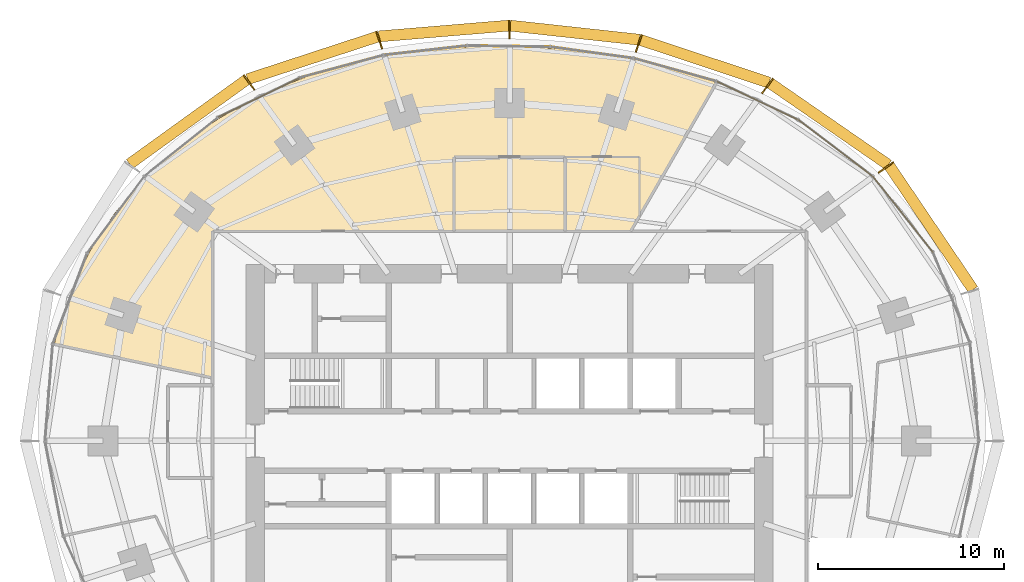
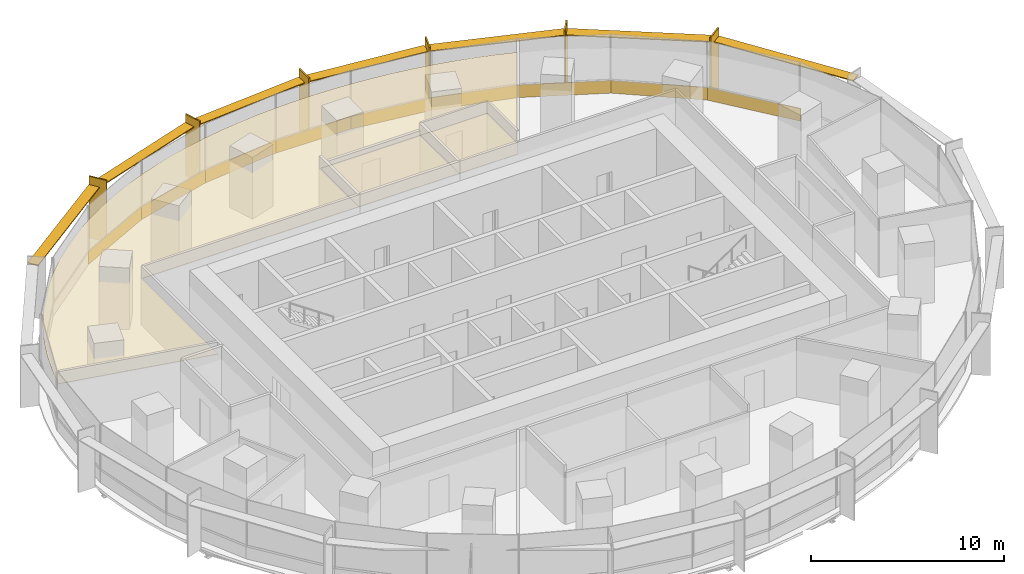
# One storey, part 14 of 14: 13 shading devices, 12 coverings.
"""IFC4 building model written with IfcOpenShell, lengths in metres."""

import ifcopenshell
import ifcopenshell.guid

model = None  # the IFC model being written
_history = None  # IfcOwnerHistory: only IFC2X3 demands one
_inside = {}  # id of a spatial element -> (the spatial element, [elements in it])
_under = {}  # id of a project, library or spatial element -> (it, [spatial elements below it])
_declared = {}  # id of a project -> (the project, [libraries it declares])
_typed = {}  # id of a type object -> (the type object, [elements of that type])
_made_of = {}  # id of a material, layer set ... -> (it, [elements and type objects made of it])


def new_model(schema):
    """Start an empty IFC model of exactly this schema.

    Asked for "IFC4X3", IfcOpenShell would pick the latest addendum, in which some entities
    have other attributes; the version numbers below select the first issue.
    IFC2X3 requires an IfcOwnerHistory on every rooted entity: one is made here for all.
    """
    global model, _history
    if schema == "IFC4X3":
        model = ifcopenshell.file(schema_version=(4, 3, 0, 0))
    else:
        model = ifcopenshell.file(schema=schema)
    _inside.clear()
    _under.clear()
    _declared.clear()
    _typed.clear()
    _made_of.clear()
    _history = None
    if model.schema == "IFC2X3":
        org = make("IfcOrganization", Name="unknown")
        user = make(
            "IfcPersonAndOrganization",
            ThePerson=make("IfcPerson", FamilyName="unknown"),
            TheOrganization=org,
        )
        app = make(
            "IfcApplication",
            ApplicationDeveloper=org,
            Version="unknown",
            ApplicationFullName="unknown",
            ApplicationIdentifier="unknown",
        )
        _history = make(
            "IfcOwnerHistory",
            OwningUser=user,
            OwningApplication=app,
            ChangeAction="ADDED",
            CreationDate=0,
        )
    return model


def make(cls, **values):
    """One entity of the class cls with the attributes given. An attribute that is None is left unset."""
    return model.create_entity(
        cls, **{name: value for name, value in values.items() if value is not None}
    )


def rooted(cls, **values):
    """An entity with a GlobalId (a new one), such as an element, a storey or a relation."""
    return make(cls, GlobalId=ifcopenshell.guid.new(), OwnerHistory=_history, **values)


def si_unit(unit_type, name, prefix=None):
    """IfcSIUnit, for example si_unit("LENGTHUNIT", "METRE", prefix="MILLI")."""
    return make("IfcSIUnit", UnitType=unit_type, Prefix=prefix, Name=name)


def assignment(units):
    """IfcUnitAssignment: the units of a project."""
    return None if units is None else make("IfcUnitAssignment", Units=units)


def point(xyz):
    """IfcCartesianPoint."""
    return None if xyz is None else make("IfcCartesianPoint", Coordinates=xyz)


def direction(xyz):
    """IfcDirection."""
    return None if xyz is None else make("IfcDirection", DirectionRatios=xyz)


def frame(location, z_axis=None, x_axis=None):
    """IfcAxis2Placement3D, a coordinate frame: its origin and axes. An axis left out is left unset."""
    return make(
        "IfcAxis2Placement3D",
        Location=point(location),
        Axis=direction(z_axis),
        RefDirection=direction(x_axis),
    )


def frame_2d(location, x_axis=None):
    """IfcAxis2Placement2D, a coordinate frame in the plane: its origin and x axis."""
    return make(
        "IfcAxis2Placement2D", Location=point(location), RefDirection=direction(x_axis)
    )


def origin():
    """The frame at (0, 0, 0) with its axes left unset."""
    return frame((0.0, 0.0, 0.0))


def origin_2d():
    """The frame at (0, 0) in the plane with its x axis left unset."""
    return frame_2d((0.0, 0.0))


def place(relative_to, where):
    """IfcLocalPlacement: puts the frame where relative to a parent placement (None: the world)."""
    return make(
        "IfcLocalPlacement", PlacementRelTo=relative_to, RelativePlacement=where
    )


def context(
    kind, dimensions, precision=None, world=None, true_north=None, identifier=None
):
    """IfcGeometricRepresentationContext, for example the 3D "Model" context."""
    return make(
        "IfcGeometricRepresentationContext",
        ContextIdentifier=identifier,
        ContextType=kind,
        CoordinateSpaceDimension=dimensions,
        Precision=precision,
        WorldCoordinateSystem=world,
        TrueNorth=true_north,
    )


def subcontext(parent, identifier, kind, view, scale=None):
    """IfcGeometricRepresentationSubContext, for example "Body" below "Model"."""
    return make(
        "IfcGeometricRepresentationSubContext",
        ContextIdentifier=identifier,
        ContextType=kind,
        ParentContext=parent,
        TargetScale=scale,
        TargetView=view,
    )


def project(units=None, contexts=None):
    """IfcProject with its units and contexts."""
    return rooted(
        "IfcProject",
        Name="project",
        RepresentationContexts=contexts,
        UnitsInContext=assignment(units),
    )


def spatial(cls, under=None, at=None, **own):
    """A site, building, storey or space (cls), placed at a placement, below another one or the project."""
    s = rooted(cls, ObjectPlacement=at, **own)
    if under is not None:
        _under.setdefault(under.id(), (under, []))[1].append(s)
    return s


def polyline(points):
    """IfcPolyline through the points."""
    return make("IfcPolyline", Points=[point(p) for p in points])


def profile(cls, at=None, kind="AREA", **sizes):
    """A parametric profile (cls). Its sizes go by their IFC names, for example OverallWidth=200.0."""
    return make(cls, ProfileType=kind, Position=at, **sizes)


def rectangle(**sizes):
    """IfcRectangleProfileDef."""
    return profile("IfcRectangleProfileDef", **sizes)


def outline(outer, holes=None, kind="AREA"):
    """IfcArbitraryClosedProfileDef: a profile drawn as a closed curve; with holes, ...WithVoids."""
    if holes is None:
        return make("IfcArbitraryClosedProfileDef", ProfileType=kind, OuterCurve=outer)
    return make(
        "IfcArbitraryProfileDefWithVoids",
        ProfileType=kind,
        OuterCurve=outer,
        InnerCurves=holes,
    )


def extrude(swept, where, along, depth):
    """IfcExtrudedAreaSolid: the profile swept, set in the frame where, extruded along a direction by depth."""
    return make(
        "IfcExtrudedAreaSolid",
        SweptArea=swept,
        Position=where,
        ExtrudedDirection=direction(along),
        Depth=depth,
    )


def shape(context_of_items, identifier, shape_type, items):
    """IfcShapeRepresentation: the items that make up one representation, for example the "Body"."""
    return make(
        "IfcShapeRepresentation",
        ContextOfItems=context_of_items,
        RepresentationIdentifier=identifier,
        RepresentationType=shape_type,
        Items=items,
    )


def material(Name=None, Category=None):
    """IfcMaterial."""
    return make("IfcMaterial", Name=Name, Category=Category)


def layer(
    of_material, thickness, ventilated=None, Name=None, Category=None, Priority=None
):
    """IfcMaterialLayer: one layer of a wall or slab, of a material (None: an air gap)."""
    return make(
        "IfcMaterialLayer",
        Material=of_material,
        LayerThickness=thickness,
        IsVentilated=ventilated,
        Name=Name,
        Category=Category,
        Priority=Priority,
    )


def layer_set(layers, Name=None):
    """IfcMaterialLayerSet."""
    return make("IfcMaterialLayerSet", MaterialLayers=layers, LayerSetName=Name)


def made_of(thing, what):
    """Note that an element or type object is made of a material, layer set ...; save() writes the relation."""
    if what is not None:
        _made_of.setdefault(what.id(), (what, []))[1].append(thing)
    return thing


def type_object(cls, material=None, **own):
    """A type object (cls), such as IfcWallType, which elements share."""
    return made_of(rooted(cls, **own), material)


def element(
    cls,
    number,
    at=None,
    inside=None,
    cuts=None,
    type_object=None,
    material=None,
    context=None,
    identifier="Body",
    shape_type=None,
    held_by="IfcProductDefinitionShape",
    body=None,
    shapes=None,
    **own,
):
    """One element of the class cls, such as IfcWall. Its Tag is "e" and its number.

    at: its placement. inside: the storey or other place that contains it. cuts: it is an
    opening in that element (IfcRelVoidsElement). A single representation is given by context,
    identifier, shape_type and body (its items); several are given by shapes. held_by: the class
    of the entity that holds the representations. save() writes the other relations.
    """
    e = rooted(cls, Tag="e%d" % number, ObjectPlacement=at, **own)
    if body is not None:
        shapes = [shape(context, identifier, shape_type, body)]
    if shapes is not None:
        e.Representation = make(held_by, Representations=shapes)
    if inside is not None:
        _inside.setdefault(inside.id(), (inside, []))[1].append(e)
    if cuts is not None:
        rooted(
            "IfcRelVoidsElement", RelatingBuildingElement=cuts, RelatedOpeningElement=e
        )
    if type_object is not None:
        _typed.setdefault(type_object.id(), (type_object, []))[1].append(e)
    return made_of(e, material)


def aggregate(whole, parts):
    """IfcRelAggregates: a whole, such as a stair, and the parts it consists of."""
    return rooted("IfcRelAggregates", RelatingObject=whole, RelatedObjects=parts)


def save(model, path):
    """Write the relations noted so far, then the file.

    IfcRelAggregates (storeys below a building ...), IfcRelContainedInSpatialStructure (elements
    in a storey), IfcRelDefinesByType, IfcRelAssociatesMaterial and IfcRelDeclares: one each for
    every whole, place, type object, material and project.
    """
    for whole, parts in _under.values():
        aggregate(whole, parts)
    for where, things in _inside.values():
        rooted(
            "IfcRelContainedInSpatialStructure",
            RelatedElements=things,
            RelatingStructure=where,
        )
    for kind, things in _typed.values():
        rooted("IfcRelDefinesByType", RelatedObjects=things, RelatingType=kind)
    for what, things in _made_of.values():
        rooted("IfcRelAssociatesMaterial", RelatedObjects=things, RelatingMaterial=what)
    for by, libraries in _declared.values():
        rooted("IfcRelDeclares", RelatingContext=by, RelatedDefinitions=libraries)
    model.write(path)


model = new_model("IFC4")

# Units and contexts
model_context = context("Model", 3, precision=1e-05, world=origin(), true_north=direction((0.0, 1.0)))
body_context = subcontext(model_context, "Body", "Model", "MODEL_VIEW")
ifc_project = project(units=[si_unit("LENGTHUNIT", "METRE"), si_unit("AREAUNIT", "SQUARE_METRE"), si_unit("VOLUMEUNIT", "CUBIC_METRE"), si_unit("PLANEANGLEUNIT", "RADIAN"), si_unit("MASSUNIT", "GRAM", prefix="KILO")], contexts=[model_context])

# Site, building, storey
site_placement = place(None, origin())
site = spatial("IfcSite", under=ifc_project, at=site_placement, CompositionType="ELEMENT")
building_placement = place(site_placement, origin())
building = spatial("IfcBuilding", under=site, at=building_placement, Name="Marramba Exchange Tower", CompositionType="ELEMENT")
storey_placement = place(building_placement, frame((0.0, 0.0, 119.699951171875)))
storey = spatial("IfcBuildingStorey", under=building, at=storey_placement, Name="L28", CompositionType="ELEMENT", Elevation=119.699951171875)

# Shading devices
ifc_material_1 = material(Name="Aluminium blade, timber-look bronze finish", Category="wood")
ifc_layer_1 = layer(ifc_material_1, 0.080078125)
ifc_layer_set_1 = layer_set([ifc_layer_1], Name="Floor-edge blade 1000x80")
shading_device_type_1 = type_object("IfcShadingDeviceType", Name="Floor-edge blade 1000x80", PredefinedType="USERDEFINED", material=ifc_layer_set_1)
for number, where, z_axis, x_axis, name in (
    (1, (20.27392578125, 14.72998046875, -0.159912109375), (0.0, 0.0, 1.0), (0.809016994375, 0.587785252292, 0.0), "Floor-edge blade FB1 L28 TC03"),
    (2, (13.8955078125, 19.12548828125, -0.159912109375), (0.0, 0.0, 1.0), (0.587785252292, 0.809016994375, 0.0), "Floor-edge blade FB1 L28 TC04"),
    (3, (6.958984375, 21.41748046875, -0.159912109375), (0.0, 0.0, 1.0), (0.309016994375, 0.951056516295, 0.0), "Floor-edge blade FB1 L28 TC05"),
    (4, (0.0, 22.173095703125, -0.159912109375), (0.0, 0.0, 1.0), (0.0, 1.0, 0.0), "Floor-edge blade FB1 L28 TC06"),
    (5, (-7.016845703125, 21.595703125, -0.159912109375), (0.0, 0.0, 1.0), (-0.309016994375, 0.951056516295, 0.0), "Floor-edge blade FB1 L28 TC07"),
    (6, (-14.029296875, 19.3095703125, -0.159912109375), (0.0, 0.0, 1.0), (-0.587785252292, 0.809016994375, 0.0), "Floor-edge blade FB1 L28 TC08"),
):
    element("IfcShadingDevice", number, at=place(storey_placement, frame(where, z_axis=z_axis, x_axis=x_axis)), inside=storey, type_object=shading_device_type_1, Name=name, ObjectType="FIN", PredefinedType="USERDEFINED", context=body_context, shape_type="SweptSolid", body=[
        extrude(rectangle(XDim=1.0, YDim=0.080078125, at=origin_2d()), origin(), (0.0, 0.0, 1.0), 3.89990234375),
    ])
ifc_material_2 = material(Name="Aluminium sunshade, bronze anodised", Category="aluminium")
ifc_layer_2 = layer(ifc_material_2, 0.06005859375)
ifc_layer_set_2 = layer_set([ifc_layer_2], Name="SUNSHADE blade 600x60")
shading_device_type_2 = type_object("IfcShadingDeviceType", Name="SUNSHADE blade 600x60", PredefinedType="USERDEFINED", material=ifc_layer_set_2)
shading_device_1_placement = place(storey_placement, frame((22.712158203125, 11.4833984375, 3.159912109375), z_axis=(0.0, 0.0, 1.0), x_axis=(-0.560441804861, 0.828193807852, 0.0)))
element("IfcShadingDevice", 7, at=shading_device_1_placement, inside=storey, type_object=shading_device_type_2, Name="Sunshade SS1 L28 bay 02", ObjectType="SUNSHADE", PredefinedType="USERDEFINED", context=body_context, shape_type="SweptSolid", body=[
    extrude(rectangle(XDim=8.0439453125, YDim=0.60009765625, at=origin_2d()), origin(), (0.0, 0.0, 1.0), 0.06005859375),
])
shading_device_2_placement = place(storey_placement, frame((17.224365234375, 17.0673828125, 3.159912109375), z_axis=(0.0, 0.0, 1.0), x_axis=(-0.822589509071, 0.568635647464, 0.0)))
element("IfcShadingDevice", 8, at=shading_device_2_placement, inside=storey, type_object=shading_device_type_2, Name="Sunshade SS1 L28 bay 03", ObjectType="SUNSHADE", PredefinedType="USERDEFINED", context=body_context, shape_type="SweptSolid", body=[
    extrude(rectangle(XDim=7.72802734375, YDim=0.60009765625, at=origin_2d()), origin(), (0.0, 0.0, 1.0), 0.06005859375),
])
shading_device_3_placement = place(storey_placement, frame((10.516845703125, 20.447509765625, 3.159912109375), z_axis=(0.0, 0.0, 1.0), x_axis=(-0.949101076178, 0.314971660944, 0.0)))
element("IfcShadingDevice", 9, at=shading_device_3_placement, inside=storey, type_object=shading_device_type_2, Name="Sunshade SS1 L28 bay 04", ObjectType="SUNSHADE", PredefinedType="USERDEFINED", context=body_context, shape_type="SweptSolid", body=[
    extrude(rectangle(XDim=7.287353515625, YDim=0.60009765625, at=origin_2d()), origin(), (0.0, 0.0, 1.0), 0.06005859375),
])
shading_device_4_placement = place(storey_placement, frame((3.510498046875, 21.990478515625, 3.159912109375), z_axis=(0.0, 0.0, 1.0), x_axis=(-0.994111392801, 0.108362995081, 0.0)))
element("IfcShadingDevice", 10, at=shading_device_4_placement, inside=storey, type_object=shading_device_type_2, Name="Sunshade SS1 L28 bay 05", ObjectType="SUNSHADE", PredefinedType="USERDEFINED", context=body_context, shape_type="SweptSolid", body=[
    extrude(rectangle(XDim=6.982421875, YDim=0.60009765625, at=origin_2d()), origin(), (0.0, 0.0, 1.0), 0.06005859375),
])
shading_device_5_placement = place(storey_placement, frame((-3.539306640625, 22.07958984375, 3.159912109375), z_axis=(0.0, 0.0, 1.0), x_axis=(-0.996577838412, -0.08265961521, 0.0)))
element("IfcShadingDevice", 11, at=shading_device_5_placement, inside=storey, type_object=shading_device_type_2, Name="Sunshade SS1 L28 bay 06", ObjectType="SUNSHADE", PredefinedType="USERDEFINED", context=body_context, shape_type="SweptSolid", body=[
    extrude(rectangle(XDim=7.02294921875, YDim=0.60009765625, at=origin_2d()), origin(), (0.0, 0.0, 1.0), 0.06005859375),
])
shading_device_6_placement = place(storey_placement, frame((-10.61279296875, 20.628662109375, 3.159912109375), z_axis=(0.0, 0.0, 1.0), x_axis=(-0.950345637432, -0.311196351865, 0.0)))
element("IfcShadingDevice", 12, at=shading_device_6_placement, inside=storey, type_object=shading_device_type_2, Name="Sunshade SS1 L28 bay 07", ObjectType="SUNSHADE", PredefinedType="USERDEFINED", context=body_context, shape_type="SweptSolid", body=[
    extrude(rectangle(XDim=7.357421875, YDim=0.60009765625, at=origin_2d()), origin(), (0.0, 0.0, 1.0), 0.06005859375),
])
shading_device_7_placement = place(storey_placement, frame((-17.322509765625, 17.18212890625, 3.159912109375), z_axis=(0.0, 0.0, 1.0), x_axis=(-0.811199164202, -0.584769968448, 0.0)))
element("IfcShadingDevice", 13, at=shading_device_7_placement, inside=storey, type_object=shading_device_type_2, Name="Sunshade SS1 L28 bay 08", ObjectType="SUNSHADE", PredefinedType="USERDEFINED", context=body_context, shape_type="SweptSolid", body=[
    extrude(rectangle(XDim=7.749755859375, YDim=0.60009765625, at=origin_2d()), origin(), (0.0, 0.0, 1.0), 0.06005859375),
])

# Coverings
ifc_material_3 = material(Name="Aluminium spandrel panel, bronze anodised, insulated", Category="aluminium")
ifc_layer_3 = layer(ifc_material_3, 0.050048828125)
ifc_layer_set_3 = layer_set([ifc_layer_3], Name="Spandrel panel 800")
covering_type_1 = type_object("IfcCoveringType", Name="Spandrel panel 800", PredefinedType="CLADDING", material=ifc_layer_set_3)
covering_1_placement = place(storey_placement, frame((21.20068359375, 12.194091796875, 0.0), z_axis=(0.0, 0.0, 1.0), x_axis=(-0.621311998758, 0.783563271344, 0.0)))
element("IfcCovering", 14, at=covering_1_placement, inside=storey, type_object=covering_type_1, Name="Spandrel panel SP1 L28 F03", PredefinedType="CLADDING", context=body_context, shape_type="SweptSolid", body=[
    extrude(rectangle(XDim=5.197021484375, YDim=0.050048828125, at=origin_2d()), origin(), (0.0, 0.0, 1.0), 0.800048828125),
])
covering_2_placement = place(storey_placement, frame((17.576171875, 15.759033203125, 0.0), z_axis=(0.0, 0.0, 1.0), x_axis=(-0.795971745176, 0.605333776426, 0.0)))
element("IfcCovering", 15, at=covering_2_placement, inside=storey, type_object=covering_type_1, Name="Spandrel panel SP1 L28 F04", PredefinedType="CLADDING", context=body_context, shape_type="SweptSolid", body=[
    extrude(rectangle(XDim=5.05078125, YDim=0.050048828125, at=origin_2d()), origin(), (0.0, 0.0, 1.0), 0.800048828125),
])
covering_3_placement = place(storey_placement, frame((13.371337890625, 18.322998046875, 0.0), z_axis=(0.0, 0.0, 1.0), x_axis=(-0.904403135206, 0.426678999987, 0.0)))
element("IfcCovering", 16, at=covering_3_placement, inside=storey, type_object=covering_type_1, Name="Spandrel panel SP1 L28 F05", PredefinedType="CLADDING", context=body_context, shape_type="SweptSolid", body=[
    extrude(rectangle(XDim=4.853271484375, YDim=0.050048828125, at=origin_2d()), origin(), (0.0, 0.0, 1.0), 0.800048828125),
])
covering_4_placement = place(storey_placement, frame((8.9365234375, 19.98388671875, 0.0), z_axis=(0.0, 0.0, 1.0), x_axis=(-0.963177847397, 0.268865085655, 0.0)))
element("IfcCovering", 17, at=covering_4_placement, inside=storey, type_object=covering_type_1, Name="Spandrel panel SP1 L28 F06", PredefinedType="CLADDING", context=body_context, shape_type="SweptSolid", body=[
    extrude(rectangle(XDim=4.651611328125, YDim=0.050048828125, at=origin_2d()), origin(), (0.0, 0.0, 1.0), 0.800048828125),
])
covering_5_placement = place(storey_placement, frame((4.46337890625, 20.915283203125, 0.0), z_axis=(0.0, 0.0, 1.0), x_axis=(-0.990738214019, 0.135785828725, 0.0)))
element("IfcCovering", 18, at=covering_5_placement, inside=storey, type_object=covering_type_1, Name="Spandrel panel SP1 L28 F07", PredefinedType="CLADDING", context=body_context, shape_type="SweptSolid", body=[
    extrude(rectangle(XDim=4.507568359375, YDim=0.050048828125, at=origin_2d()), origin(), (0.0, 0.0, 1.0), 0.800048828125),
])
covering_6_placement = place(storey_placement, frame((-0.003662109375, 21.25634765625, 0.0), z_axis=(0.0, 0.0, 1.0), x_axis=(-0.999875870008, 0.015755779107, 0.0)))
element("IfcCovering", 19, at=covering_6_placement, inside=storey, type_object=covering_type_1, Name="Spandrel panel SP1 L28 F08", PredefinedType="CLADDING", context=body_context, shape_type="SweptSolid", body=[
    extrude(rectangle(XDim=4.46875, YDim=0.050048828125, at=origin_2d()), origin(), (0.0, 0.0, 1.0), 0.800048828125),
])
covering_7_placement = place(storey_placement, frame((-4.49609375, 21.03955078125, 0.0), z_axis=(0.0, 0.0, 1.0), x_axis=(-0.993823395975, -0.110973229261, 0.0)))
element("IfcCovering", 20, at=covering_7_placement, inside=storey, type_object=covering_type_1, Name="Spandrel panel SP1 L28 F09", PredefinedType="CLADDING", context=body_context, shape_type="SweptSolid", body=[
    extrude(rectangle(XDim=4.54443359375, YDim=0.050048828125, at=origin_2d()), origin(), (0.0, 0.0, 1.0), 0.800048828125),
])
covering_8_placement = place(storey_placement, frame((-9.0244140625, 20.17529296875, 0.0), z_axis=(0.0, 0.0, 1.0), x_axis=(-0.965522049344, -0.26032128655, 0.0)))
element("IfcCovering", 21, at=covering_8_placement, inside=storey, type_object=covering_type_1, Name="Spandrel panel SP1 L28 F10", PredefinedType="CLADDING", context=body_context, shape_type="SweptSolid", body=[
    extrude(rectangle(XDim=4.70263671875, YDim=0.050048828125, at=origin_2d()), origin(), (0.0, 0.0, 1.0), 0.800048828125),
])
covering_9_placement = place(storey_placement, frame((-13.49609375, 18.498291015625, 0.0), z_axis=(0.0, 0.0, 1.0), x_axis=(-0.900223736484, -0.435427633794, 0.0)))
element("IfcCovering", 22, at=covering_9_placement, inside=storey, type_object=covering_type_1, Name="Spandrel panel SP1 L28 F11", PredefinedType="CLADDING", context=body_context, shape_type="SweptSolid", body=[
    extrude(rectangle(XDim=4.890625, YDim=0.050048828125, at=origin_2d()), origin(), (0.0, 0.0, 1.0), 0.800048828125),
])
ifc_material_4 = material(Name="Mineral fibre ceiling tiles", Category="gypsum")
ifc_layer_4 = layer(ifc_material_4, 0.02001953125)
ifc_layer_set_4 = layer_set([ifc_layer_4], Name="Suspended ceiling 20")
covering_type_2 = type_object("IfcCoveringType", Name="Suspended ceiling 20", PredefinedType="CEILING", material=ifc_layer_set_4)
covering_10_placement = place(storey_placement, frame((0.0, 0.0, 2.900146484375)))
element("IfcCovering", 23, at=covering_10_placement, inside=storey, type_object=covering_type_2, Name="Ceiling CL1 L28 Open Plan Office 2", PredefinedType="CEILING", context=body_context, shape_type="SweptSolid", body=[
    extrude(outline(polyline([(-16.0, 3.40087890625), (-24.52294921875, 5.21240234375), (-24.1904296875, 6.481689453125), (-23.768798828125, 7.722900390625), (-23.260498046875, 8.928955078125), (-22.669677734375, 10.09326171875), (-22.0009765625, 11.2099609375), (-21.259765625, 12.2744140625), (-20.451904296875, 13.28173828125), (-19.583984375, 14.228759765625), (-18.66259765625, 15.11279296875), (-17.6943359375, 15.93212890625), (-16.685791015625, 16.685791015625), (-15.643798828125, 17.374267578125), (-14.57421875, 17.99755859375), (-13.482666015625, 18.55712890625), (-12.37451171875, 19.05517578125), (-11.2548828125, 19.493896484375), (-10.127197265625, 19.875732421875), (-8.995361328125, 20.203857421875), (-7.862060546875, 20.4814453125), (-6.7294921875, 20.711181640625), (-5.59912109375, 20.896484375), (-4.47216796875, 21.0400390625), (-3.34912109375, 21.14453125), (-2.2294921875, 21.212158203125), (-1.11328125, 21.244384765625), (0.0, 21.2431640625), (1.111572265625, 21.208740234375), (2.22216796875, 21.1416015625), (3.332763671875, 21.041748046875), (4.444091796875, 20.907958984375), (5.556884765625, 20.739013671875), (6.671630859375, 20.533203125), (7.787841796875, 20.287841796875), (8.905029296875, 20.0009765625), (10.02197265625, 19.6689453125), (11.13671875, 19.289306640625), (9.422607421875, 16.3203125), (7.0, 12.124267578125), (7.0, 15.300048828125), (3.0, 15.300048828125), (-3.0, 15.300048828125), (-3.0, 11.300048828125), (-16.0, 11.300048828125), (-16.0, 3.40087890625)])), origin(), (0.0, 0.0, 1.0), 0.02001953125),
])
covering_11_placement = place(storey_placement, frame((0.0, 0.0, 2.900146484375)))
element("IfcCovering", 24, at=covering_11_placement, inside=storey, type_object=covering_type_2, Name="Ceiling CL1 L28 Meeting Room 2", PredefinedType="CEILING", context=body_context, shape_type="SweptSolid", body=[
    extrude(outline(polyline([(3.0, 11.300048828125), (-3.0, 11.300048828125), (-3.0, 15.300048828125), (3.0, 15.300048828125), (3.0, 11.300048828125)])), origin(), (0.0, 0.0, 1.0), 0.02001953125),
])
covering_12_placement = place(storey_placement, frame((0.0, 0.0, 2.900146484375)))
element("IfcCovering", 25, at=covering_12_placement, inside=storey, type_object=covering_type_2, Name="Ceiling CL1 L28 Pantry 1", PredefinedType="CEILING", context=body_context, shape_type="SweptSolid", body=[
    extrude(outline(polyline([(7.0, 12.124267578125), (6.524169921875, 11.300048828125), (3.0, 11.300048828125), (3.0, 15.300048828125), (7.0, 15.300048828125), (7.0, 12.124267578125)])), origin(), (0.0, 0.0, 1.0), 0.02001953125),
])

save(model, "model.ifc")
